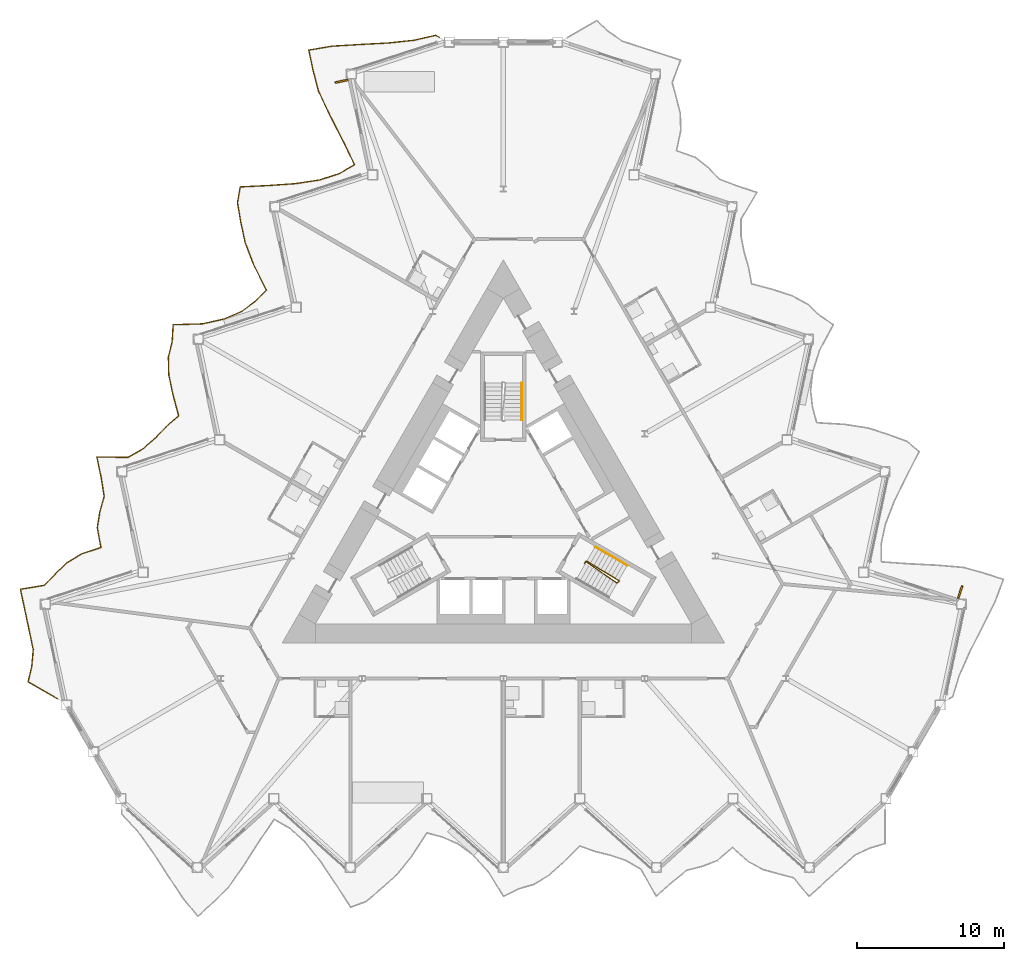
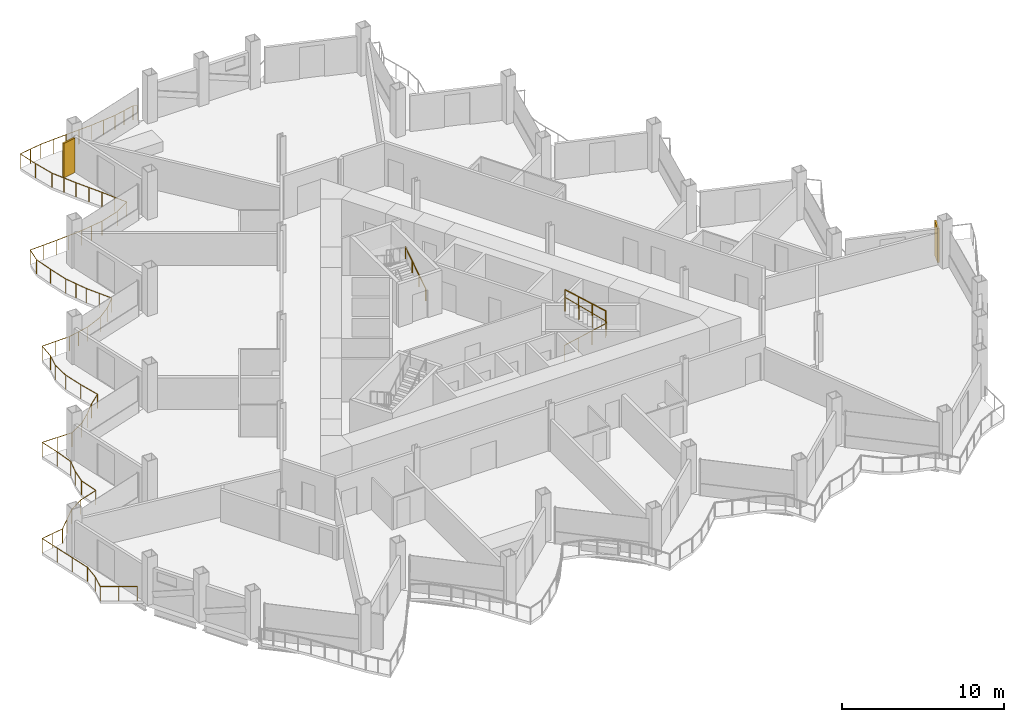
# One storey, part 20 of 23: 4 railings, 2 shading devices.
"""IFC4 building model written with IfcOpenShell, lengths in metres."""

from ifc_helpers import new_model, si_unit, direction, frame, origin, origin_2d, place, context, subcontext, project, spatial, rectangle, circle, extrude, material, layer, layer_set, type_object, element, save


model = new_model("IFC4")

# Units and contexts
model_context = context("Model", 3, precision=1e-05, world=origin(), true_north=direction((0.0, 1.0)))
body_context = subcontext(model_context, "Body", "Model", "MODEL_VIEW")
ifc_project = project(units=[si_unit("LENGTHUNIT", "METRE"), si_unit("AREAUNIT", "SQUARE_METRE"), si_unit("VOLUMEUNIT", "CUBIC_METRE"), si_unit("PLANEANGLEUNIT", "RADIAN"), si_unit("MASSUNIT", "GRAM", prefix="KILO")], contexts=[model_context])

# Site, building, storey
site_placement = place(None, origin())
site = spatial("IfcSite", under=ifc_project, at=site_placement, CompositionType="ELEMENT")
building_placement = place(site_placement, origin())
building = spatial("IfcBuilding", under=site, at=building_placement, Name="Cormorant Prow Tower", CompositionType="ELEMENT")
storey_placement = place(building_placement, frame((0.0, 0.0, 259.800048828125)))
storey = spatial("IfcBuildingStorey", under=building, at=storey_placement, Name="L58", CompositionType="ELEMENT", Elevation=259.800048828125)

# Railings
ifc_material_1 = material(Name="Aluminium 6063-T6", Category="aluminium")
railing_type_1 = type_object("IfcRailingType", Name="Balcony guard 1100", PredefinedType="GUARDRAIL", material=ifc_material_1)
railing_1_placement = place(storey_placement, frame((-4.348876953125, 32.414794921875, 0.0)))
element("IfcRailing", 1, at=railing_1_placement, inside=storey, type_object=railing_type_1, Name="Balcony guard WNW", PredefinedType="GUARDRAIL", context=body_context, shape_type="SweptSolid", body=[
    extrude(circle(Radius=0.02392578125, at=origin_2d()), frame((0.0, 0.0, 1.076171875), z_axis=(-0.865838944724, 0.500322817589, 0.0), x_axis=(-0.500322817589, -0.865838944724, 0.0)), (0.0, 0.0, 1.0), 0.269775390625),
    extrude(circle(Radius=0.02392578125, at=origin_2d()), frame((-0.233642578125, 0.135009765625, 1.076171875), z_axis=(-0.974797751922, -0.22309043648, 0.0), x_axis=(0.22309043648, -0.974797751922, 0.0)), (0.0, 0.0, 1.0), 1.522216796875),
    extrude(circle(Radius=0.02392578125, at=origin_2d()), frame((-1.717529296875, -0.20458984375, 1.076171875), z_axis=(-0.994581794299, -0.103956983649, 0.0), x_axis=(0.103956983649, -0.994581794299, 0.0)), (0.0, 0.0, 1.0), 1.763671875),
    extrude(circle(Radius=0.02392578125, at=origin_2d()), frame((-3.4716796875, -0.387939453125, 1.076171875), z_axis=(-0.998620310905, -0.052511662016, 0.0), x_axis=(0.052511662016, -0.998620310905, 0.0)), (0.0, 0.0, 1.0), 1.901611328125),
    extrude(circle(Radius=0.02392578125, at=origin_2d()), frame((-5.37060546875, -0.48779296875, 1.076171875), z_axis=(-0.998198317464, -0.06000099176, 0.0), x_axis=(0.06000099176, -0.998198317464, 0.0)), (0.0, 0.0, 1.0), 1.8798828125),
    extrude(circle(Radius=0.02392578125, at=origin_2d()), frame((-7.2470703125, -0.6005859375, 1.076171875), z_axis=(-0.986349342736, -0.164666250595, 0.0), x_axis=(0.164666250595, -0.986349342736, 0.0)), (0.0, 0.0, 1.0), 1.62939453125),
    extrude(circle(Radius=0.02392578125, at=origin_2d()), frame((-8.854248046875, -0.868896484375, 1.076171875), z_axis=(0.207890175504, -0.978152173708, 0.0), x_axis=(0.978152173708, 0.207890175504, 0.0)), (0.0, 0.0, 1.0), 1.39404296875),
    extrude(circle(Radius=0.02392578125, at=origin_2d()), frame((-8.564453125, -2.232421875, 1.076171875), z_axis=(0.250868855588, -0.968021083084, 0.0), x_axis=(0.968021083084, 0.250868855588, 0.0)), (0.0, 0.0, 1.0), 1.452880859375),
    extrude(circle(Radius=0.02392578125, at=origin_2d()), frame((-8.199951171875, -3.638916015625, 1.076171875), z_axis=(0.42504452231, -0.905172444374, 0.0), x_axis=(0.905172444374, 0.42504452231, 0.0)), (0.0, 0.0, 1.0), 1.812744140625),
    extrude(circle(Radius=0.02392578125, at=origin_2d()), frame((-7.429443359375, -5.27978515625, 1.076171875), z_axis=(0.457042214947, -0.889445003222, 0.0), x_axis=(0.889445003222, 0.457042214947, 0.0)), (0.0, 0.0, 1.0), 1.912353515625),
    extrude(circle(Radius=0.02392578125, at=origin_2d()), frame((-6.555419921875, -6.980712890625, 1.076171875), z_axis=(0.436662581505, -0.899625360866, 0.0), x_axis=(0.899625360866, 0.436662581505, 0.0)), (0.0, 0.0, 1.0), 1.84716796875),
    extrude(circle(Radius=0.02392578125, at=origin_2d()), frame((-5.748779296875, -8.642578125, 1.076171875), z_axis=(-0.86235547219, -0.506303307894, 0.0), x_axis=(0.506303307894, -0.86235547219, 0.0)), (0.0, 0.0, 1.0), 1.19091796875),
    extrude(circle(Radius=0.02392578125, at=origin_2d()), frame((-6.77587890625, -9.24560546875, 1.076171875), z_axis=(-0.952316734925, -0.305111186918, 0.0), x_axis=(0.305111186918, -0.952316734925, 0.0)), (0.0, 0.0, 1.0), 1.3994140625),
    extrude(circle(Radius=0.02392578125, at=origin_2d()), frame((-8.108642578125, -9.672607421875, 1.076171875), z_axis=(-0.988417686889, -0.151757952821, 0.0), x_axis=(0.151757952821, -0.988417686889, 0.0)), (0.0, 0.0, 1.0), 1.655517578125),
    extrude(circle(Radius=0.02392578125, at=origin_2d()), frame((-9.744873046875, -9.923828125, 1.076171875), z_axis=(-0.997587421512, -0.069421440794, 0.0), x_axis=(0.069421440794, -0.997587421512, 0.0)), (0.0, 0.0, 1.0), 1.853271484375),
    extrude(circle(Radius=0.02392578125, at=origin_2d()), frame((-11.59375, -10.052490234375, 1.076171875), z_axis=(-0.998789958657, -0.049179451859, 0.0), x_axis=(0.049179451859, -0.998789958657, 0.0)), (0.0, 0.0, 1.0), 1.9111328125),
    extrude(circle(Radius=0.02392578125, at=origin_2d()), frame((-13.502685546875, -10.146484375, 1.076171875), z_axis=(-0.165329575329, -0.986238374594, 0.0), x_axis=(0.986238374594, -0.165329575329, 0.0)), (0.0, 0.0, 1.0), 1.10595703125),
    extrude(circle(Radius=0.02392578125, at=origin_2d()), frame((-13.685546875, -11.2373046875, 1.076171875), z_axis=(0.171493859519, -0.985185188758, 0.0), x_axis=(0.985185188758, 0.171493859519, 0.0)), (0.0, 0.0, 1.0), 1.349609375),
    extrude(circle(Radius=0.02392578125, at=origin_2d()), frame((-13.4541015625, -12.56689453125, 1.076171875), z_axis=(0.207890175504, -0.978152173708, 0.0), x_axis=(0.978152173708, 0.207890175504, 0.0)), (0.0, 0.0, 1.0), 1.39404296875),
    extrude(circle(Radius=0.02392578125, at=origin_2d()), frame((-13.164306640625, -13.930419921875, 1.076171875), z_axis=(0.359435546798, -0.933169913627, 0.0), x_axis=(0.933169913627, 0.359435546798, 0.0)), (0.0, 0.0, 1.0), 1.6484375),
    extrude(circle(Radius=0.02392578125, at=origin_2d()), frame((-12.57177734375, -15.46875, 1.076171875), z_axis=(0.448509020419, -0.893778305064, 0.0), x_axis=(0.893778305064, 0.448509020419, 0.0)), (0.0, 0.0, 1.0), 1.884033203125),
    extrude(circle(Radius=0.02392578125, at=origin_2d()), frame((-11.726806640625, -17.152587890625, 1.076171875), z_axis=(-0.7048250733, -0.709381150051, 0.0), x_axis=(0.709381150051, -0.7048250733, 0.0)), (0.0, 0.0, 1.0), 1.07177734375),
    extrude(circle(Radius=0.02392578125, at=origin_2d()), frame((-12.482177734375, -17.912841796875, 1.076171875), z_axis=(-0.803334958935, -0.595527450042, 0.0), x_axis=(0.595527450042, -0.803334958935, 0.0)), (0.0, 0.0, 1.0), 1.12890625),
    extrude(circle(Radius=0.02392578125, at=origin_2d()), frame((-13.38916015625, -18.585205078125, 1.076171875), z_axis=(-0.916825847668, -0.399287321421, 0.0), x_axis=(0.399287321421, -0.916825847668, 0.0)), (0.0, 0.0, 1.0), 1.288330078125),
    extrude(circle(Radius=0.02392578125, at=origin_2d()), frame((-14.5703125, -19.099609375, 1.076171875), z_axis=(-0.976351593548, -0.21618872722, 0.0), x_axis=(0.21618872722, -0.976351593548, 0.0)), (0.0, 0.0, 1.0), 1.53369140625),
    extrude(circle(Radius=0.02392578125, at=origin_2d()), frame((-16.067626953125, -19.43115234375, 1.076171875), z_axis=(-0.999614039772, -0.027780775562, 0.0), x_axis=(0.027780775562, -0.999614039772, 0.0)), (0.0, 0.0, 1.0), 1.977294921875),
    extrude(circle(Radius=0.02392578125, at=origin_2d()), frame((-18.044189453125, -19.486083984375, 1.076171875), z_axis=(-0.062903941759, -0.998019586036, 0.0), x_axis=(0.998019586036, -0.062903941759, 0.0)), (0.0, 0.0, 1.0), 1.156494140625),
    extrude(circle(Radius=0.02392578125, at=origin_2d()), frame((-18.116943359375, -20.640380859375, 1.076171875), z_axis=(-0.237367680999, -0.97141988039, 0.0), x_axis=(0.97141988039, -0.237367680999, 0.0)), (0.0, 0.0, 1.0), 1.078857421875),
    extrude(circle(Radius=0.02392578125, at=origin_2d()), frame((-18.373046875, -21.6884765625, 1.076171875), z_axis=(0.02414268922, -0.999708522799, 0.0), x_axis=(0.999708522799, 0.02414268922, 0.0)), (0.0, 0.0, 1.0), 1.21337890625),
    extrude(circle(Radius=0.02392578125, at=origin_2d()), frame((-18.34375, -22.901611328125, 1.076171875), z_axis=(0.207890175504, -0.978152173708, 0.0), x_axis=(0.978152173708, 0.207890175504, 0.0)), (0.0, 0.0, 1.0), 1.39404296875),
    extrude(circle(Radius=0.02392578125, at=origin_2d()), frame((-18.053955078125, -24.26513671875, 1.076171875), z_axis=(0.259848107704, -0.965649502109, 0.0), x_axis=(0.965649502109, 0.259848107704, 0.0)), (0.0, 0.0, 1.0), 1.466552734375),
    extrude(circle(Radius=0.02392578125, at=origin_2d()), frame((-17.6728515625, -25.681396484375, 1.076171875), z_axis=(-0.761462428068, -0.648209048565, 0.0), x_axis=(0.648209048565, -0.761462428068, 0.0)), (0.0, 0.0, 1.0), 1.099365234375),
    extrude(circle(Radius=0.02392578125, at=origin_2d()), frame((-18.510009765625, -26.39404296875, 1.076171875), z_axis=(-0.694067852913, -0.719909588458, 0.0), x_axis=(0.719909588458, -0.694067852913, 0.0)), (0.0, 0.0, 1.0), 1.067626953125),
    extrude(circle(Radius=0.02392578125, at=origin_2d()), frame((-19.2509765625, -27.16259765625, 1.076171875), z_axis=(-0.747285863971, -0.664502699399, 0.0), x_axis=(0.664502699399, -0.747285863971, 0.0)), (0.0, 0.0, 1.0), 1.09130859375),
    extrude(circle(Radius=0.02392578125, at=origin_2d()), frame((-20.06640625, -27.8876953125, 1.076171875), z_axis=(-0.867414347486, -0.497586524914, 0.0), x_axis=(0.497586524914, -0.867414347486, 0.0)), (0.0, 0.0, 1.0), 1.1982421875),
    extrude(circle(Radius=0.02392578125, at=origin_2d()), frame((-21.105712890625, -28.48388671875, 1.076171875), z_axis=(-0.999921071725, 0.012563849777, 0.0), x_axis=(-0.012563849777, -0.999921071725, 0.0)), (0.0, 0.0, 1.0), 2.1181640625),
    extrude(circle(Radius=0.02392578125, at=origin_2d()), frame((-23.2236328125, -28.457275390625, 1.076171875), z_axis=(0.207890175504, -0.978152173708, 0.0), x_axis=(0.978152173708, 0.207890175504, 0.0)), (0.0, 0.0, 1.0), 1.39404296875),
    extrude(circle(Radius=0.02392578125, at=origin_2d()), frame((-22.933837890625, -29.82080078125, 1.076171875), z_axis=(0.157062298788, -0.987588696928, 0.0), x_axis=(0.987588696928, 0.157062298788, 0.0)), (0.0, 0.0, 1.0), 1.333740234375),
    extrude(circle(Radius=0.02392578125, at=origin_2d()), frame((-22.724365234375, -31.137939453125, 1.076171875), z_axis=(-0.273332360678, -0.961919653924, 0.0), x_axis=(0.961919653924, -0.273332360678, 0.0)), (0.0, 0.0, 1.0), 1.068359375),
    extrude(circle(Radius=0.02392578125, at=origin_2d()), frame((-23.016357421875, -32.16552734375, 1.076171875), z_axis=(-0.157363849991, -0.987540692182, 0.0), x_axis=(0.987540692182, -0.157363849991, 0.0)), (0.0, 0.0, 1.0), 1.109375),
    extrude(circle(Radius=0.02392578125, at=origin_2d()), frame((-23.19091796875, -33.260986328125, 1.076171875), z_axis=(0.181646185978, -0.983363952522, 0.0), x_axis=(0.983363952522, 0.181646185978, 0.0)), (0.0, 0.0, 1.0), 1.361572265625),
    extrude(circle(Radius=0.02392578125, at=origin_2d()), frame((-22.943603515625, -34.599853515625, 1.076171875), z_axis=(-0.95107267583, -0.308967256015, 0.0), x_axis=(0.308967256015, -0.95107267583, 0.0)), (0.0, 0.0, 1.0), 1.393798828125),
    extrude(circle(Radius=0.02392578125, at=origin_2d()), frame((-24.269287109375, -35.030517578125, 1.076171875), z_axis=(-0.851095176642, -0.52501142873, 0.0), x_axis=(0.52501142873, -0.851095176642, 0.0)), (0.0, 0.0, 1.0), 1.177001953125),
    extrude(circle(Radius=0.02392578125, at=origin_2d()), frame((-25.27099609375, -35.6484375, 1.076171875), z_axis=(-0.712876020925, -0.701290081771, 0.0), x_axis=(0.701290081771, -0.712876020925, 0.0)), (0.0, 0.0, 1.0), 1.07470703125),
    extrude(circle(Radius=0.02392578125, at=origin_2d()), frame((-26.037109375, -36.402099609375, 1.076171875), z_axis=(-0.70733432961, -0.706879159514, 0.0), x_axis=(0.706879159514, -0.70733432961, 0.0)), (0.0, 0.0, 1.0), 1.07275390625),
    extrude(circle(Radius=0.02392578125, at=origin_2d()), frame((-26.7958984375, -37.160400390625, 1.076171875), z_axis=(-0.986349342736, -0.164666250595, 0.0), x_axis=(0.164666250595, -0.986349342736, 0.0)), (0.0, 0.0, 1.0), 1.62939453125),
    extrude(circle(Radius=0.02392578125, at=origin_2d()), frame((-28.403076171875, -37.4287109375, 1.076171875), z_axis=(0.207925795705, -0.978144602541, 0.0), x_axis=(0.978144602541, 0.207925795705, 0.0)), (0.0, 0.0, 1.0), 1.393798828125),
    extrude(circle(Radius=0.02392578125, at=origin_2d()), frame((-28.11328125, -38.7919921875, 1.076171875), z_axis=(0.207890175504, -0.978152173708, 0.0), x_axis=(0.978152173708, 0.207890175504, 0.0)), (0.0, 0.0, 1.0), 1.39404296875),
    extrude(circle(Radius=0.02392578125, at=origin_2d()), frame((-27.823486328125, -40.155517578125, 1.076171875), z_axis=(0.207890175504, -0.978152173708, 0.0), x_axis=(0.978152173708, 0.207890175504, 0.0)), (0.0, 0.0, 1.0), 1.39404296875),
    extrude(circle(Radius=0.02392578125, at=origin_2d()), frame((-27.53369140625, -41.51904296875, 1.076171875), z_axis=(-0.086261062439, -0.996272567678, 0.0), x_axis=(0.996272567678, -0.086261062439, 0.0)), (0.0, 0.0, 1.0), 1.143310546875),
    extrude(circle(Radius=0.02392578125, at=origin_2d()), frame((-27.63232421875, -42.658203125, 1.076171875), z_axis=(-0.23194620114, -0.972728615687, 0.0), x_axis=(0.972728615687, -0.23194620114, 0.0)), (0.0, 0.0, 1.0), 1.0810546875),
    extrude(circle(Radius=0.02392578125, at=origin_2d()), frame((-27.883056640625, -43.709716796875, 1.076171875), z_axis=(0.866052595322, -0.499952899918, 0.0), x_axis=(0.499952899918, 0.866052595322, 0.0)), (0.0, 0.0, 1.0), 2.292724609375),
    extrude(circle(Radius=0.02099609375, at=origin_2d()), origin(), (0.0, 0.0, 1.0), 1.052001953125),
    extrude(circle(Radius=0.02099609375, at=origin_2d()), frame((-0.233642578125, 0.135009765625, 0.0)), (0.0, 0.0, 1.0), 1.052001953125),
    extrude(circle(Radius=0.02099609375, at=origin_2d()), frame((-0.9755859375, -0.03466796875, 0.0)), (0.0, 0.0, 1.0), 1.052001953125),
    extrude(circle(Radius=0.02099609375, at=origin_2d()), frame((-1.717529296875, -0.20458984375, 0.0)), (0.0, 0.0, 1.0), 1.052001953125),
    extrude(circle(Radius=0.02099609375, at=origin_2d()), frame((-2.5947265625, -0.29638671875, 0.0)), (0.0, 0.0, 1.0), 1.052001953125),
    extrude(circle(Radius=0.02099609375, at=origin_2d()), frame((-3.4716796875, -0.387939453125, 0.0)), (0.0, 0.0, 1.0), 1.052001953125),
    extrude(circle(Radius=0.02099609375, at=origin_2d()), frame((-4.421142578125, -0.43798828125, 0.0)), (0.0, 0.0, 1.0), 1.052001953125),
    extrude(circle(Radius=0.02099609375, at=origin_2d()), frame((-5.37060546875, -0.48779296875, 0.0)), (0.0, 0.0, 1.0), 1.052001953125),
    extrude(circle(Radius=0.02099609375, at=origin_2d()), frame((-6.308837890625, -0.544189453125, 0.0)), (0.0, 0.0, 1.0), 1.052001953125),
    extrude(circle(Radius=0.02099609375, at=origin_2d()), frame((-7.2470703125, -0.6005859375, 0.0)), (0.0, 0.0, 1.0), 1.052001953125),
    extrude(circle(Radius=0.02099609375, at=origin_2d()), frame((-8.05078125, -0.73486328125, 0.0)), (0.0, 0.0, 1.0), 1.052001953125),
    extrude(circle(Radius=0.02099609375, at=origin_2d()), frame((-8.854248046875, -0.868896484375, 0.0)), (0.0, 0.0, 1.0), 1.052001953125),
    extrude(circle(Radius=0.02099609375, at=origin_2d()), frame((-8.564453125, -2.232421875, 0.0)), (0.0, 0.0, 1.0), 1.052001953125),
    extrude(circle(Radius=0.02099609375, at=origin_2d()), frame((-8.199951171875, -3.638916015625, 0.0)), (0.0, 0.0, 1.0), 1.052001953125),
    extrude(circle(Radius=0.02099609375, at=origin_2d()), frame((-7.814697265625, -4.45947265625, 0.0)), (0.0, 0.0, 1.0), 1.052001953125),
    extrude(circle(Radius=0.02099609375, at=origin_2d()), frame((-7.429443359375, -5.27978515625, 0.0)), (0.0, 0.0, 1.0), 1.052001953125),
    extrude(circle(Radius=0.02099609375, at=origin_2d()), frame((-6.992431640625, -6.13037109375, 0.0)), (0.0, 0.0, 1.0), 1.052001953125),
    extrude(circle(Radius=0.02099609375, at=origin_2d()), frame((-6.555419921875, -6.980712890625, 0.0)), (0.0, 0.0, 1.0), 1.052001953125),
    extrude(circle(Radius=0.02099609375, at=origin_2d()), frame((-6.152099609375, -7.8115234375, 0.0)), (0.0, 0.0, 1.0), 1.052001953125),
    extrude(circle(Radius=0.02099609375, at=origin_2d()), frame((-5.748779296875, -8.642578125, 0.0)), (0.0, 0.0, 1.0), 1.052001953125),
    extrude(circle(Radius=0.02099609375, at=origin_2d()), frame((-6.77587890625, -9.24560546875, 0.0)), (0.0, 0.0, 1.0), 1.052001953125),
    extrude(circle(Radius=0.02099609375, at=origin_2d()), frame((-8.108642578125, -9.672607421875, 0.0)), (0.0, 0.0, 1.0), 1.052001953125),
    extrude(circle(Radius=0.02099609375, at=origin_2d()), frame((-8.9267578125, -9.79833984375, 0.0)), (0.0, 0.0, 1.0), 1.052001953125),
    extrude(circle(Radius=0.02099609375, at=origin_2d()), frame((-9.744873046875, -9.923828125, 0.0)), (0.0, 0.0, 1.0), 1.052001953125),
    extrude(circle(Radius=0.02099609375, at=origin_2d()), frame((-10.66943359375, -9.98828125, 0.0)), (0.0, 0.0, 1.0), 1.052001953125),
    extrude(circle(Radius=0.02099609375, at=origin_2d()), frame((-11.59375, -10.052490234375, 0.0)), (0.0, 0.0, 1.0), 1.052001953125),
    extrude(circle(Radius=0.02099609375, at=origin_2d()), frame((-12.54833984375, -10.099609375, 0.0)), (0.0, 0.0, 1.0), 1.052001953125),
    extrude(circle(Radius=0.02099609375, at=origin_2d()), frame((-13.502685546875, -10.146484375, 0.0)), (0.0, 0.0, 1.0), 1.052001953125),
    extrude(circle(Radius=0.02099609375, at=origin_2d()), frame((-13.685546875, -11.2373046875, 0.0)), (0.0, 0.0, 1.0), 1.052001953125),
    extrude(circle(Radius=0.02099609375, at=origin_2d()), frame((-13.4541015625, -12.56689453125, 0.0)), (0.0, 0.0, 1.0), 1.052001953125),
    extrude(circle(Radius=0.02099609375, at=origin_2d()), frame((-13.164306640625, -13.930419921875, 0.0)), (0.0, 0.0, 1.0), 1.052001953125),
    extrude(circle(Radius=0.02099609375, at=origin_2d()), frame((-12.8681640625, -14.69970703125, 0.0)), (0.0, 0.0, 1.0), 1.052001953125),
    extrude(circle(Radius=0.02099609375, at=origin_2d()), frame((-12.57177734375, -15.46875, 0.0)), (0.0, 0.0, 1.0), 1.052001953125),
    extrude(circle(Radius=0.02099609375, at=origin_2d()), frame((-12.1494140625, -16.310546875, 0.0)), (0.0, 0.0, 1.0), 1.052001953125),
    extrude(circle(Radius=0.02099609375, at=origin_2d()), frame((-11.726806640625, -17.152587890625, 0.0)), (0.0, 0.0, 1.0), 1.052001953125),
    extrude(circle(Radius=0.02099609375, at=origin_2d()), frame((-12.482177734375, -17.912841796875, 0.0)), (0.0, 0.0, 1.0), 1.052001953125),
    extrude(circle(Radius=0.02099609375, at=origin_2d()), frame((-13.38916015625, -18.585205078125, 0.0)), (0.0, 0.0, 1.0), 1.052001953125),
    extrude(circle(Radius=0.02099609375, at=origin_2d()), frame((-14.5703125, -19.099609375, 0.0)), (0.0, 0.0, 1.0), 1.052001953125),
    extrude(circle(Radius=0.02099609375, at=origin_2d()), frame((-15.31884765625, -19.265380859375, 0.0)), (0.0, 0.0, 1.0), 1.052001953125),
    extrude(circle(Radius=0.02099609375, at=origin_2d()), frame((-16.067626953125, -19.43115234375, 0.0)), (0.0, 0.0, 1.0), 1.052001953125),
    extrude(circle(Radius=0.02099609375, at=origin_2d()), frame((-17.055908203125, -19.45849609375, 0.0)), (0.0, 0.0, 1.0), 1.052001953125),
    extrude(circle(Radius=0.02099609375, at=origin_2d()), frame((-18.044189453125, -19.486083984375, 0.0)), (0.0, 0.0, 1.0), 1.052001953125),
    extrude(circle(Radius=0.02099609375, at=origin_2d()), frame((-18.116943359375, -20.640380859375, 0.0)), (0.0, 0.0, 1.0), 1.052001953125),
    extrude(circle(Radius=0.02099609375, at=origin_2d()), frame((-18.373046875, -21.6884765625, 0.0)), (0.0, 0.0, 1.0), 1.052001953125),
    extrude(circle(Radius=0.02099609375, at=origin_2d()), frame((-18.34375, -22.901611328125, 0.0)), (0.0, 0.0, 1.0), 1.052001953125),
    extrude(circle(Radius=0.02099609375, at=origin_2d()), frame((-18.053955078125, -24.26513671875, 0.0)), (0.0, 0.0, 1.0), 1.052001953125),
    extrude(circle(Radius=0.02099609375, at=origin_2d()), frame((-17.6728515625, -25.681396484375, 0.0)), (0.0, 0.0, 1.0), 1.052001953125),
    extrude(circle(Radius=0.02099609375, at=origin_2d()), frame((-18.510009765625, -26.39404296875, 0.0)), (0.0, 0.0, 1.0), 1.052001953125),
    extrude(circle(Radius=0.02099609375, at=origin_2d()), frame((-19.2509765625, -27.16259765625, 0.0)), (0.0, 0.0, 1.0), 1.052001953125),
    extrude(circle(Radius=0.02099609375, at=origin_2d()), frame((-20.06640625, -27.8876953125, 0.0)), (0.0, 0.0, 1.0), 1.052001953125),
    extrude(circle(Radius=0.02099609375, at=origin_2d()), frame((-21.105712890625, -28.48388671875, 0.0)), (0.0, 0.0, 1.0), 1.052001953125),
    extrude(circle(Radius=0.02099609375, at=origin_2d()), frame((-22.16455078125, -28.470703125, 0.0)), (0.0, 0.0, 1.0), 1.052001953125),
    extrude(circle(Radius=0.02099609375, at=origin_2d()), frame((-23.2236328125, -28.457275390625, 0.0)), (0.0, 0.0, 1.0), 1.052001953125),
    extrude(circle(Radius=0.02099609375, at=origin_2d()), frame((-22.933837890625, -29.82080078125, 0.0)), (0.0, 0.0, 1.0), 1.052001953125),
    extrude(circle(Radius=0.02099609375, at=origin_2d()), frame((-22.724365234375, -31.137939453125, 0.0)), (0.0, 0.0, 1.0), 1.052001953125),
    extrude(circle(Radius=0.02099609375, at=origin_2d()), frame((-23.016357421875, -32.16552734375, 0.0)), (0.0, 0.0, 1.0), 1.052001953125),
    extrude(circle(Radius=0.02099609375, at=origin_2d()), frame((-23.19091796875, -33.260986328125, 0.0)), (0.0, 0.0, 1.0), 1.052001953125),
    extrude(circle(Radius=0.02099609375, at=origin_2d()), frame((-22.943603515625, -34.599853515625, 0.0)), (0.0, 0.0, 1.0), 1.052001953125),
    extrude(circle(Radius=0.02099609375, at=origin_2d()), frame((-24.269287109375, -35.030517578125, 0.0)), (0.0, 0.0, 1.0), 1.052001953125),
    extrude(circle(Radius=0.02099609375, at=origin_2d()), frame((-25.27099609375, -35.6484375, 0.0)), (0.0, 0.0, 1.0), 1.052001953125),
    extrude(circle(Radius=0.02099609375, at=origin_2d()), frame((-26.037109375, -36.402099609375, 0.0)), (0.0, 0.0, 1.0), 1.052001953125),
    extrude(circle(Radius=0.02099609375, at=origin_2d()), frame((-26.7958984375, -37.160400390625, 0.0)), (0.0, 0.0, 1.0), 1.052001953125),
    extrude(circle(Radius=0.02099609375, at=origin_2d()), frame((-27.599609375, -37.29443359375, 0.0)), (0.0, 0.0, 1.0), 1.052001953125),
    extrude(circle(Radius=0.02099609375, at=origin_2d()), frame((-28.403076171875, -37.4287109375, 0.0)), (0.0, 0.0, 1.0), 1.052001953125),
    extrude(circle(Radius=0.02099609375, at=origin_2d()), frame((-28.11328125, -38.7919921875, 0.0)), (0.0, 0.0, 1.0), 1.052001953125),
    extrude(circle(Radius=0.02099609375, at=origin_2d()), frame((-27.823486328125, -40.155517578125, 0.0)), (0.0, 0.0, 1.0), 1.052001953125),
    extrude(circle(Radius=0.02099609375, at=origin_2d()), frame((-27.53369140625, -41.51904296875, 0.0)), (0.0, 0.0, 1.0), 1.052001953125),
    extrude(circle(Radius=0.02099609375, at=origin_2d()), frame((-27.63232421875, -42.658203125, 0.0)), (0.0, 0.0, 1.0), 1.052001953125),
    extrude(circle(Radius=0.02099609375, at=origin_2d()), frame((-27.883056640625, -43.709716796875, 0.0)), (0.0, 0.0, 1.0), 1.052001953125),
    extrude(circle(Radius=0.02099609375, at=origin_2d()), frame((-26.89013671875, -44.28271484375, 0.0)), (0.0, 0.0, 1.0), 1.052001953125),
    extrude(circle(Radius=0.02099609375, at=origin_2d()), frame((-25.8974609375, -44.85595703125, 0.0)), (0.0, 0.0, 1.0), 1.052001953125),
])
ifc_material_2 = material(Name="Stainless steel", Category="steel")
railing_type_2 = type_object("IfcRailingType", Name="Stair guard 1100", PredefinedType="GUARDRAIL", material=ifc_material_2)
railing_2_placement = place(storey_placement, frame((5.510009765625, -3.267822265625, 0.0)))
element("IfcRailing", 2, at=railing_2_placement, inside=storey, type_object=railing_type_2, Name="L58 ST2 stair guard 1", PredefinedType="GUARDRAIL", context=body_context, shape_type="SweptSolid", body=[
    extrude(circle(Radius=0.02392578125, at=origin_2d()), frame((0.0, 0.0, 1.076171875), z_axis=(0.501036270542, 0.865426285481, 0.0), x_axis=(-0.865426285481, 0.501036270542, 0.0)), (0.0, 0.0, 1.0), 0.150146484375),
    extrude(circle(Radius=0.02392578125, at=origin_2d()), frame((0.0751953125, 0.1298828125, 1.076171875), z_axis=(0.676058237057, -0.463829066155, 0.572545070276), x_axis=(0.565732651216, 0.824588726183, 0.0)), (0.0, 0.0, 1.0), 3.14404296875),
    extrude(circle(Radius=0.02392578125, at=origin_2d()), frame((2.20068359375, -1.328369140625, 2.8759765625), z_axis=(0.695164929852, 0.718850276695, 0.0), x_axis=(-0.718850276695, 0.695164929852, 0.0)), (0.0, 0.0, 1.0), 0.2060546875),
    extrude(circle(Radius=0.02392578125, at=origin_2d()), frame((2.343994140625, -1.18017578125, 2.8759765625), z_axis=(-0.701307540925, 0.423320870887, 0.573556599922), x_axis=(-0.516770599887, -0.856123908726, 0.0)), (0.0, 0.0, 1.0), 3.137939453125),
    extrude(circle(Radius=0.02099609375, at=origin_2d()), origin(), (0.0, 0.0, 1.0), 1.052001953125),
    extrude(circle(Radius=0.02099609375, at=origin_2d()), frame((0.0751953125, 0.1298828125, 0.0)), (0.0, 0.0, 1.0), 1.052001953125),
    extrude(circle(Radius=0.02099609375, at=origin_2d()), frame((0.78369140625, -0.356201171875, 0.60009765625)), (0.0, 0.0, 1.0), 1.052001953125),
    extrude(circle(Radius=0.02099609375, at=origin_2d()), frame((1.4921875, -0.84228515625, 1.199951171875)), (0.0, 0.0, 1.0), 1.052001953125),
    extrude(circle(Radius=0.02099609375, at=origin_2d()), frame((2.20068359375, -1.328369140625, 1.800048828125)), (0.0, 0.0, 1.0), 1.052001953125),
    extrude(circle(Radius=0.02099609375, at=origin_2d()), frame((2.343994140625, -1.18017578125, 1.800048828125)), (0.0, 0.0, 1.0), 1.052001953125),
    extrude(circle(Radius=0.02099609375, at=origin_2d()), frame((1.6103515625, -0.7373046875, 2.39990234375)), (0.0, 0.0, 1.0), 1.052001953125),
    extrude(circle(Radius=0.02099609375, at=origin_2d()), frame((0.876953125, -0.294677734375, 3.0)), (0.0, 0.0, 1.0), 1.052001953125),
    extrude(circle(Radius=0.02099609375, at=origin_2d()), frame((0.143310546875, 0.148193359375, 3.599853515625)), (0.0, 0.0, 1.0), 1.052001953125),
])
ifc_material_3 = material(Name="Stainless steel", Category="steel")
railing_type_3 = type_object("IfcRailingType", Name="Stair handrail 900", PredefinedType="HANDRAIL", material=ifc_material_3)
railing_3_placement = place(storey_placement, frame((8.395263671875, -3.41064453125, 1.97998046875)))
element("IfcRailing", 3, at=railing_3_placement, inside=storey, type_object=railing_type_3, Name="L58 ST2 stair handrail 2", PredefinedType="HANDRAIL", context=body_context, shape_type="SweptSolid", body=[
    extrude(circle(Radius=0.02392578125, at=origin_2d()), frame((0.0, 0.0, 0.8759765625), z_axis=(-0.72849590497, 0.42060268101, 0.54072830624), x_axis=(-0.500004791531, -0.866022637375, 0.0)), (0.0, 0.0, 1.0), 2.99560546875),
    extrude(circle(Radius=0.02099609375, at=origin_2d()), origin(), (0.0, 0.0, 1.0), 0.851806640625),
    extrude(circle(Radius=0.02099609375, at=origin_2d()), frame((-0.7275390625, 0.419921875, 0.5400390625)), (0.0, 0.0, 1.0), 0.851806640625),
    extrude(circle(Radius=0.02099609375, at=origin_2d()), frame((-1.454833984375, 0.840087890625, 1.079833984375)), (0.0, 0.0, 1.0), 0.851806640625),
    extrude(circle(Radius=0.02099609375, at=origin_2d()), frame((-2.182373046875, 1.260009765625, 1.619873046875)), (0.0, 0.0, 1.0), 0.851806640625),
])
railing_4_placement = place(storey_placement, frame((1.243896484375, 6.455810546875, 0.179931640625)))
element("IfcRailing", 4, at=railing_4_placement, inside=storey, type_object=railing_type_3, Name="L58 ST3 stair handrail 1", PredefinedType="HANDRAIL", context=body_context, shape_type="SweptSolid", body=[
    extrude(circle(Radius=0.02392578125, at=origin_2d()), frame((0.0, 0.0, 0.8759765625), z_axis=(0.0, 0.841162588446, 0.540782303519), x_axis=(-1.0, 0.0, 0.0)), (0.0, 0.0, 1.0), 2.995849609375),
    extrude(circle(Radius=0.02099609375, at=origin_2d()), origin(), (0.0, 0.0, 1.0), 0.851806640625),
    extrude(circle(Radius=0.02099609375, at=origin_2d()), frame((0.0, 0.840087890625, 0.5400390625)), (0.0, 0.0, 1.0), 0.851806640625),
    extrude(circle(Radius=0.02099609375, at=origin_2d()), frame((0.0, 1.679931640625, 1.080078125)), (0.0, 0.0, 1.0), 0.851806640625),
    extrude(circle(Radius=0.02099609375, at=origin_2d()), frame((0.0, 2.52001953125, 1.6201171875)), (0.0, 0.0, 1.0), 0.851806640625),
])

# Shading devices
ifc_material_4 = material(Name="Terracotta", Category="masonry")
ifc_layer = layer(ifc_material_4, 0.1201171875)
ifc_layer_set = layer_set([ifc_layer], Name="Terracotta")
shading_device_type = type_object("IfcShadingDeviceType", Name="Terracotta baguette fin 120x900x2600", PredefinedType="USERDEFINED", material=ifc_layer_set)
for number, where, z_axis, x_axis, name in (
    (5, (30.971923828125, -5.21240234375, 0.0), (0.0, 0.0, 1.0), (-0.951056520475, 0.309016981511, 0.0), "Baguette fin ENE01"),
    (6, (-10.971923828125, 29.4287109375, 0.0), (0.0, 0.0, 1.0), (0.207911825822, -0.978147572038, 0.0), "Baguette fin WNW01"),
):
    element("IfcShadingDevice", number, at=place(storey_placement, frame(where, z_axis=z_axis, x_axis=x_axis)), inside=storey, type_object=shading_device_type, Name=name, ObjectType="BAGUETTE", PredefinedType="USERDEFINED", context=body_context, shape_type="SweptSolid", body=[
        extrude(rectangle(XDim=0.1201171875, YDim=0.89990234375, at=origin_2d()), origin(), (0.0, 0.0, 1.0), 2.60009765625),
    ])

save(model, "model.ifc")
